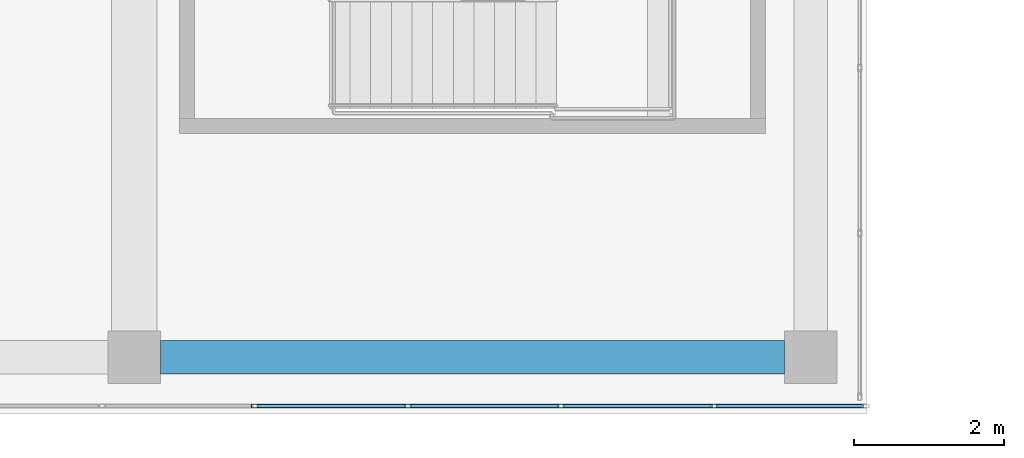
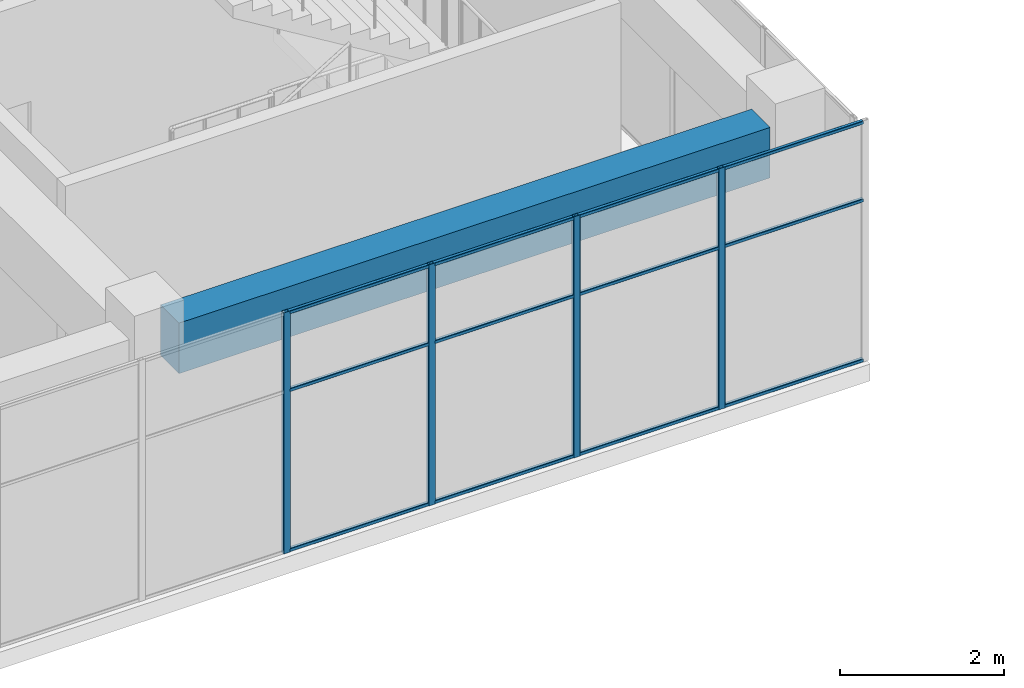
# One storey, part 11 of 32: 16 members, 1 beam, 1 element without a shape of its own.
"""IFC4 building model written with IfcOpenShell, lengths in metres."""

from ifc_helpers import new_model, si_unit, direction, frame, origin, origin_2d, place, context, subcontext, project, spatial, rectangle, hollow_rectangle, extrude, material, layer, layer_set, material_profile, profile_set, type_object, element, aggregate, save


model = new_model("IFC4")

# Units and contexts
model_context = context("Model", 3, precision=1e-05, world=origin(), true_north=direction((0.0, 1.0)))
body_context = subcontext(model_context, "Body", "Model", "MODEL_VIEW")
ifc_project = project(units=[si_unit("LENGTHUNIT", "METRE"), si_unit("AREAUNIT", "SQUARE_METRE"), si_unit("VOLUMEUNIT", "CUBIC_METRE"), si_unit("PLANEANGLEUNIT", "RADIAN"), si_unit("MASSUNIT", "GRAM", prefix="KILO")], contexts=[model_context])

# Site, building, storey
site_placement = place(None, origin())
site = spatial("IfcSite", under=ifc_project, at=site_placement, CompositionType="ELEMENT")
building_placement = place(site_placement, origin())
building = spatial("IfcBuilding", under=site, at=building_placement, Name="Tuart Plaza Theatre", CompositionType="ELEMENT")
storey_placement = place(building_placement, frame((0.0, 0.0, 37.5)))
storey = spatial("IfcBuildingStorey", under=building, at=storey_placement, Name="L09", CompositionType="ELEMENT", Elevation=37.5)

# Beam
ifc_material_1 = material(Name="Concrete N40 (40 MPa)", Category="concrete")
ifc_material_profile_1 = material_profile(ifc_material_1, rectangle(XDim=0.449951171875, YDim=0.75, at=origin_2d()), Name="BEAM 450x750 Concrete N40 (40 MPa)")
ifc_profile_set_1 = profile_set([ifc_material_profile_1], Name="Concrete N40 (40 MPa)")
beam_type = type_object("IfcBeamType", Name="BEAM 450x750 Concrete N40 (40 MPa)", PredefinedType="BEAM", material=ifc_profile_set_1)
beam_placement = place(storey_placement, frame((132.35009765625, 56.0, 3.205078125), z_axis=(1.0, 0.0, 0.0), x_axis=(0.0, 1.0, 0.0)))
element("IfcBeam", 1, at=beam_placement, inside=storey, type_object=beam_type, Name="RB269", PredefinedType="BEAM", context=body_context, shape_type="SweptSolid", body=[
    extrude(rectangle(XDim=0.449951171875, YDim=0.75, at=origin_2d()), origin(), (0.0, 0.0, 1.0), 8.2998046875),
])

# Curtain wall, members
ifc_material_2 = material(Name="Aluminium and glass", Category="aluminium")
ifc_layer = layer(ifc_material_2, 0.10009765625)
ifc_layer_set = layer_set([ifc_layer], Name="CURTAIN WALL 2000 module")
curtain_wall_type = type_object("IfcCurtainWallType", Name="CURTAIN WALL 2000 module", PredefinedType="NOTDEFINED", material=ifc_layer_set)
curtain_wall_placement = place(storey_placement, origin())
curtain_wall = element("IfcCurtainWall", 2, at=curtain_wall_placement, inside=storey, type_object=curtain_wall_type, Name="CW88", PredefinedType="NOTDEFINED")
ifc_material_3 = material(Name="Aluminium 6063-T5", Category="aluminium")
ifc_material_profile_2 = material_profile(ifc_material_3, hollow_rectangle(XDim=0.050048828125, YDim=0.10009765625, WallThickness=0.00390625, InnerFilletRadius=0.00390625, OuterFilletRadius=0.008056640625, at=origin_2d()), Name="RHS 100x50x4")
ifc_profile_set_2 = profile_set([ifc_material_profile_2], Name="Aluminium 6063-T5")
member_type_1 = type_object("IfcMemberType", Name="MULLION RHS 100x50x4", PredefinedType="MULLION", material=ifc_profile_set_2)
member_1_placement = place(storey_placement, frame((133.607177734375, 55.35009765625, 0.0), z_axis=(0.0, 0.0, 1.0), x_axis=(0.0, 1.0, 0.0)))
member_1 = element("IfcMember", 3, at=member_1_placement, type_object=member_type_1, Name="CW88 mullion 11", PredefinedType="MULLION", context=body_context, shape_type="SweptSolid", body=[
    extrude(hollow_rectangle(XDim=0.050048828125, YDim=0.10009765625, WallThickness=0.00390625, InnerFilletRadius=0.00390625, OuterFilletRadius=0.008056640625, at=origin_2d()), origin(), (0.0, 0.0, 1.0), 3.580078125),
])
member_2_placement = place(storey_placement, frame((135.642822265625, 55.35009765625, 0.0), z_axis=(0.0, 0.0, 1.0), x_axis=(0.0, 1.0, 0.0)))
member_2 = element("IfcMember", 4, at=member_2_placement, type_object=member_type_1, Name="CW88 mullion 12", PredefinedType="MULLION", context=body_context, shape_type="SweptSolid", body=[
    extrude(hollow_rectangle(XDim=0.050048828125, YDim=0.10009765625, WallThickness=0.00390625, InnerFilletRadius=0.00390625, OuterFilletRadius=0.008056640625, at=origin_2d()), origin(), (0.0, 0.0, 1.0), 3.580078125),
])
member_3_placement = place(storey_placement, frame((137.678466796875, 55.35009765625, 0.0), z_axis=(0.0, 0.0, 1.0), x_axis=(0.0, 1.0, 0.0)))
member_3 = element("IfcMember", 5, at=member_3_placement, type_object=member_type_1, Name="CW88 mullion 13", PredefinedType="MULLION", context=body_context, shape_type="SweptSolid", body=[
    extrude(hollow_rectangle(XDim=0.050048828125, YDim=0.10009765625, WallThickness=0.00390625, InnerFilletRadius=0.00390625, OuterFilletRadius=0.008056640625, at=origin_2d()), origin(), (0.0, 0.0, 1.0), 3.580078125),
])
member_4_placement = place(storey_placement, frame((139.71435546875, 55.35009765625, 0.0), z_axis=(0.0, 0.0, 1.0), x_axis=(0.0, 1.0, 0.0)))
member_4 = element("IfcMember", 6, at=member_4_placement, type_object=member_type_1, Name="CW88 mullion 14", PredefinedType="MULLION", context=body_context, shape_type="SweptSolid", body=[
    extrude(hollow_rectangle(XDim=0.050048828125, YDim=0.10009765625, WallThickness=0.00390625, InnerFilletRadius=0.00390625, OuterFilletRadius=0.008056640625, at=origin_2d()), origin(), (0.0, 0.0, 1.0), 3.580078125),
])
ifc_material_4 = material(Name="Aluminium 6063-T5", Category="aluminium")
ifc_material_profile_3 = material_profile(ifc_material_4, hollow_rectangle(XDim=0.050048828125, YDim=0.050048828125, WallThickness=0.00390625, InnerFilletRadius=0.00390625, OuterFilletRadius=0.008056640625, at=origin_2d()), Name="RHS 50x50x4")
ifc_profile_set_3 = profile_set([ifc_material_profile_3], Name="Aluminium 6063-T5")
member_type_2 = type_object("IfcMemberType", Name="TRANSOM RHS 50x50x4", PredefinedType="USERDEFINED", material=ifc_profile_set_3)
member_5_placement = place(storey_placement, frame((133.632080078125, 55.35009765625, 0.02490234375), z_axis=(1.0, 0.0, 0.0), x_axis=(0.0, 1.0, 0.0)))
member_5 = element("IfcMember", 7, at=member_5_placement, type_object=member_type_2, Name="CW88 transom 11.1", ObjectType="TRANSOM", PredefinedType="USERDEFINED", context=body_context, shape_type="SweptSolid", body=[
    extrude(hollow_rectangle(XDim=0.050048828125, YDim=0.050048828125, WallThickness=0.00390625, InnerFilletRadius=0.00390625, OuterFilletRadius=0.008056640625, at=origin_2d()), origin(), (0.0, 0.0, 1.0), 1.98583984375),
])
member_6_placement = place(storey_placement, frame((133.632080078125, 55.35009765625, 2.39990234375), z_axis=(1.0, 0.0, 0.0), x_axis=(0.0, 1.0, 0.0)))
member_6 = element("IfcMember", 8, at=member_6_placement, type_object=member_type_2, Name="CW88 transom 11.2", ObjectType="TRANSOM", PredefinedType="USERDEFINED", context=body_context, shape_type="SweptSolid", body=[
    extrude(hollow_rectangle(XDim=0.050048828125, YDim=0.050048828125, WallThickness=0.00390625, InnerFilletRadius=0.00390625, OuterFilletRadius=0.008056640625, at=origin_2d()), origin(), (0.0, 0.0, 1.0), 1.98583984375),
])
member_7_placement = place(storey_placement, frame((133.632080078125, 55.35009765625, 3.554931640625), z_axis=(1.0, 0.0, 0.0), x_axis=(0.0, 1.0, 0.0)))
member_7 = element("IfcMember", 9, at=member_7_placement, type_object=member_type_2, Name="CW88 transom 11.3", ObjectType="TRANSOM", PredefinedType="USERDEFINED", context=body_context, shape_type="SweptSolid", body=[
    extrude(hollow_rectangle(XDim=0.050048828125, YDim=0.050048828125, WallThickness=0.00390625, InnerFilletRadius=0.00390625, OuterFilletRadius=0.008056640625, at=origin_2d()), origin(), (0.0, 0.0, 1.0), 1.98583984375),
])
member_8_placement = place(storey_placement, frame((135.66796875, 55.35009765625, 0.02490234375), z_axis=(1.0, 0.0, 0.0), x_axis=(0.0, 1.0, 0.0)))
member_8 = element("IfcMember", 10, at=member_8_placement, type_object=member_type_2, Name="CW88 transom 12.1", ObjectType="TRANSOM", PredefinedType="USERDEFINED", context=body_context, shape_type="SweptSolid", body=[
    extrude(hollow_rectangle(XDim=0.050048828125, YDim=0.050048828125, WallThickness=0.00390625, InnerFilletRadius=0.00390625, OuterFilletRadius=0.008056640625, at=origin_2d()), origin(), (0.0, 0.0, 1.0), 1.985595703125),
])
member_9_placement = place(storey_placement, frame((135.66796875, 55.35009765625, 2.39990234375), z_axis=(1.0, 0.0, 0.0), x_axis=(0.0, 1.0, 0.0)))
member_9 = element("IfcMember", 11, at=member_9_placement, type_object=member_type_2, Name="CW88 transom 12.2", ObjectType="TRANSOM", PredefinedType="USERDEFINED", context=body_context, shape_type="SweptSolid", body=[
    extrude(hollow_rectangle(XDim=0.050048828125, YDim=0.050048828125, WallThickness=0.00390625, InnerFilletRadius=0.00390625, OuterFilletRadius=0.008056640625, at=origin_2d()), origin(), (0.0, 0.0, 1.0), 1.985595703125),
])
member_10_placement = place(storey_placement, frame((135.66796875, 55.35009765625, 3.554931640625), z_axis=(1.0, 0.0, 0.0), x_axis=(0.0, 1.0, 0.0)))
member_10 = element("IfcMember", 12, at=member_10_placement, type_object=member_type_2, Name="CW88 transom 12.3", ObjectType="TRANSOM", PredefinedType="USERDEFINED", context=body_context, shape_type="SweptSolid", body=[
    extrude(hollow_rectangle(XDim=0.050048828125, YDim=0.050048828125, WallThickness=0.00390625, InnerFilletRadius=0.00390625, OuterFilletRadius=0.008056640625, at=origin_2d()), origin(), (0.0, 0.0, 1.0), 1.985595703125),
])
member_11_placement = place(storey_placement, frame((137.70361328125, 55.35009765625, 0.02490234375), z_axis=(1.0, 0.0, 0.0), x_axis=(0.0, 1.0, 0.0)))
member_11 = element("IfcMember", 13, at=member_11_placement, type_object=member_type_2, Name="CW88 transom 13.1", ObjectType="TRANSOM", PredefinedType="USERDEFINED", context=body_context, shape_type="SweptSolid", body=[
    extrude(hollow_rectangle(XDim=0.050048828125, YDim=0.050048828125, WallThickness=0.00390625, InnerFilletRadius=0.00390625, OuterFilletRadius=0.008056640625, at=origin_2d()), origin(), (0.0, 0.0, 1.0), 1.985595703125),
])
member_12_placement = place(storey_placement, frame((137.70361328125, 55.35009765625, 2.39990234375), z_axis=(1.0, 0.0, 0.0), x_axis=(0.0, 1.0, 0.0)))
member_12 = element("IfcMember", 14, at=member_12_placement, type_object=member_type_2, Name="CW88 transom 13.2", ObjectType="TRANSOM", PredefinedType="USERDEFINED", context=body_context, shape_type="SweptSolid", body=[
    extrude(hollow_rectangle(XDim=0.050048828125, YDim=0.050048828125, WallThickness=0.00390625, InnerFilletRadius=0.00390625, OuterFilletRadius=0.008056640625, at=origin_2d()), origin(), (0.0, 0.0, 1.0), 1.985595703125),
])
member_13_placement = place(storey_placement, frame((137.70361328125, 55.35009765625, 3.554931640625), z_axis=(1.0, 0.0, 0.0), x_axis=(0.0, 1.0, 0.0)))
member_13 = element("IfcMember", 15, at=member_13_placement, type_object=member_type_2, Name="CW88 transom 13.3", ObjectType="TRANSOM", PredefinedType="USERDEFINED", context=body_context, shape_type="SweptSolid", body=[
    extrude(hollow_rectangle(XDim=0.050048828125, YDim=0.050048828125, WallThickness=0.00390625, InnerFilletRadius=0.00390625, OuterFilletRadius=0.008056640625, at=origin_2d()), origin(), (0.0, 0.0, 1.0), 1.985595703125),
])
member_14_placement = place(storey_placement, frame((139.7392578125, 55.35009765625, 0.02490234375), z_axis=(1.0, 0.0, 0.0), x_axis=(0.0, 1.0, 0.0)))
member_14 = element("IfcMember", 16, at=member_14_placement, type_object=member_type_2, Name="CW88 transom 14.1", ObjectType="TRANSOM", PredefinedType="USERDEFINED", context=body_context, shape_type="SweptSolid", body=[
    extrude(hollow_rectangle(XDim=0.050048828125, YDim=0.050048828125, WallThickness=0.00390625, InnerFilletRadius=0.00390625, OuterFilletRadius=0.008056640625, at=origin_2d()), origin(), (0.0, 0.0, 1.0), 1.960693359375),
])
member_15_placement = place(storey_placement, frame((139.7392578125, 55.35009765625, 2.39990234375), z_axis=(1.0, 0.0, 0.0), x_axis=(0.0, 1.0, 0.0)))
member_15 = element("IfcMember", 17, at=member_15_placement, type_object=member_type_2, Name="CW88 transom 14.2", ObjectType="TRANSOM", PredefinedType="USERDEFINED", context=body_context, shape_type="SweptSolid", body=[
    extrude(hollow_rectangle(XDim=0.050048828125, YDim=0.050048828125, WallThickness=0.00390625, InnerFilletRadius=0.00390625, OuterFilletRadius=0.008056640625, at=origin_2d()), origin(), (0.0, 0.0, 1.0), 1.960693359375),
])
member_16_placement = place(storey_placement, frame((139.7392578125, 55.35009765625, 3.554931640625), z_axis=(1.0, 0.0, 0.0), x_axis=(0.0, 1.0, 0.0)))
member_16 = element("IfcMember", 18, at=member_16_placement, type_object=member_type_2, Name="CW88 transom 14.3", ObjectType="TRANSOM", PredefinedType="USERDEFINED", context=body_context, shape_type="SweptSolid", body=[
    extrude(hollow_rectangle(XDim=0.050048828125, YDim=0.050048828125, WallThickness=0.00390625, InnerFilletRadius=0.00390625, OuterFilletRadius=0.008056640625, at=origin_2d()), origin(), (0.0, 0.0, 1.0), 1.960693359375),
])
aggregate(curtain_wall, [member_1, member_2, member_3, member_4, member_5, member_6, member_7, member_8, member_9, member_10, member_11, member_12, member_13, member_14, member_15, member_16])

save(model, "model.ifc")
